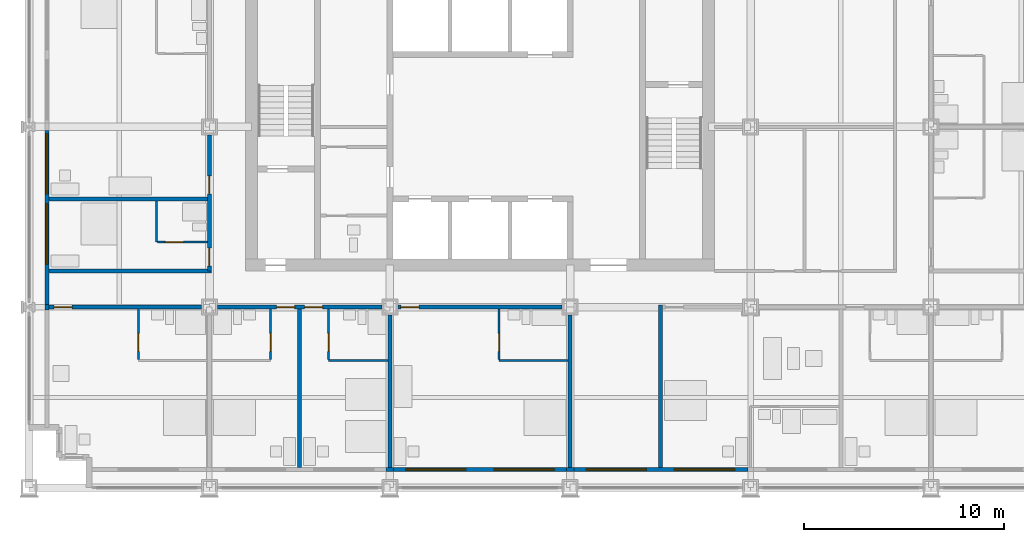
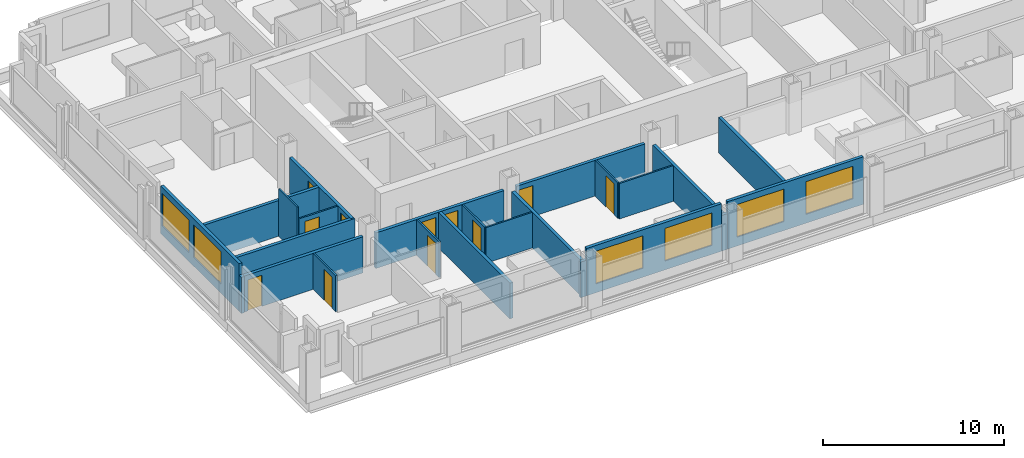
# One storey, part 10 of 18: 24 walls, 11 doors, 6 windows, 17 openings.
"""IFC4 building model written with IfcOpenShell, lengths in metres."""

import ifcopenshell
import ifcopenshell.guid

model = None  # the IFC model being written
_history = None  # IfcOwnerHistory: only IFC2X3 demands one
_inside = {}  # id of a spatial element -> (the spatial element, [elements in it])
_under = {}  # id of a project, library or spatial element -> (it, [spatial elements below it])
_declared = {}  # id of a project -> (the project, [libraries it declares])
_typed = {}  # id of a type object -> (the type object, [elements of that type])
_made_of = {}  # id of a material, layer set ... -> (it, [elements and type objects made of it])


def new_model(schema):
    """Start an empty IFC model of exactly this schema.

    Asked for "IFC4X3", IfcOpenShell would pick the latest addendum, in which some entities
    have other attributes; the version numbers below select the first issue.
    IFC2X3 requires an IfcOwnerHistory on every rooted entity: one is made here for all.
    """
    global model, _history
    if schema == "IFC4X3":
        model = ifcopenshell.file(schema_version=(4, 3, 0, 0))
    else:
        model = ifcopenshell.file(schema=schema)
    _inside.clear()
    _under.clear()
    _declared.clear()
    _typed.clear()
    _made_of.clear()
    _history = None
    if model.schema == "IFC2X3":
        org = make("IfcOrganization", Name="unknown")
        user = make(
            "IfcPersonAndOrganization",
            ThePerson=make("IfcPerson", FamilyName="unknown"),
            TheOrganization=org,
        )
        app = make(
            "IfcApplication",
            ApplicationDeveloper=org,
            Version="unknown",
            ApplicationFullName="unknown",
            ApplicationIdentifier="unknown",
        )
        _history = make(
            "IfcOwnerHistory",
            OwningUser=user,
            OwningApplication=app,
            ChangeAction="ADDED",
            CreationDate=0,
        )
    return model


def make(cls, **values):
    """One entity of the class cls with the attributes given. An attribute that is None is left unset."""
    return model.create_entity(
        cls, **{name: value for name, value in values.items() if value is not None}
    )


def rooted(cls, **values):
    """An entity with a GlobalId (a new one), such as an element, a storey or a relation."""
    return make(cls, GlobalId=ifcopenshell.guid.new(), OwnerHistory=_history, **values)


def si_unit(unit_type, name, prefix=None):
    """IfcSIUnit, for example si_unit("LENGTHUNIT", "METRE", prefix="MILLI")."""
    return make("IfcSIUnit", UnitType=unit_type, Prefix=prefix, Name=name)


def assignment(units):
    """IfcUnitAssignment: the units of a project."""
    return None if units is None else make("IfcUnitAssignment", Units=units)


def point(xyz):
    """IfcCartesianPoint."""
    return None if xyz is None else make("IfcCartesianPoint", Coordinates=xyz)


def direction(xyz):
    """IfcDirection."""
    return None if xyz is None else make("IfcDirection", DirectionRatios=xyz)


def frame(location, z_axis=None, x_axis=None):
    """IfcAxis2Placement3D, a coordinate frame: its origin and axes. An axis left out is left unset."""
    return make(
        "IfcAxis2Placement3D",
        Location=point(location),
        Axis=direction(z_axis),
        RefDirection=direction(x_axis),
    )


def frame_2d(location, x_axis=None):
    """IfcAxis2Placement2D, a coordinate frame in the plane: its origin and x axis."""
    return make(
        "IfcAxis2Placement2D", Location=point(location), RefDirection=direction(x_axis)
    )


def origin():
    """The frame at (0, 0, 0) with its axes left unset."""
    return frame((0.0, 0.0, 0.0))


def place(relative_to, where):
    """IfcLocalPlacement: puts the frame where relative to a parent placement (None: the world)."""
    return make(
        "IfcLocalPlacement", PlacementRelTo=relative_to, RelativePlacement=where
    )


def context(
    kind, dimensions, precision=None, world=None, true_north=None, identifier=None
):
    """IfcGeometricRepresentationContext, for example the 3D "Model" context."""
    return make(
        "IfcGeometricRepresentationContext",
        ContextIdentifier=identifier,
        ContextType=kind,
        CoordinateSpaceDimension=dimensions,
        Precision=precision,
        WorldCoordinateSystem=world,
        TrueNorth=true_north,
    )


def subcontext(parent, identifier, kind, view, scale=None):
    """IfcGeometricRepresentationSubContext, for example "Body" below "Model"."""
    return make(
        "IfcGeometricRepresentationSubContext",
        ContextIdentifier=identifier,
        ContextType=kind,
        ParentContext=parent,
        TargetScale=scale,
        TargetView=view,
    )


def project(units=None, contexts=None):
    """IfcProject with its units and contexts."""
    return rooted(
        "IfcProject",
        Name="project",
        RepresentationContexts=contexts,
        UnitsInContext=assignment(units),
    )


def spatial(cls, under=None, at=None, **own):
    """A site, building, storey or space (cls), placed at a placement, below another one or the project."""
    s = rooted(cls, ObjectPlacement=at, **own)
    if under is not None:
        _under.setdefault(under.id(), (under, []))[1].append(s)
    return s


def profile(cls, at=None, kind="AREA", **sizes):
    """A parametric profile (cls). Its sizes go by their IFC names, for example OverallWidth=200.0."""
    return make(cls, ProfileType=kind, Position=at, **sizes)


def rectangle(**sizes):
    """IfcRectangleProfileDef."""
    return profile("IfcRectangleProfileDef", **sizes)


def extrude(swept, where, along, depth):
    """IfcExtrudedAreaSolid: the profile swept, set in the frame where, extruded along a direction by depth."""
    return make(
        "IfcExtrudedAreaSolid",
        SweptArea=swept,
        Position=where,
        ExtrudedDirection=direction(along),
        Depth=depth,
    )


def shape(context_of_items, identifier, shape_type, items):
    """IfcShapeRepresentation: the items that make up one representation, for example the "Body"."""
    return make(
        "IfcShapeRepresentation",
        ContextOfItems=context_of_items,
        RepresentationIdentifier=identifier,
        RepresentationType=shape_type,
        Items=items,
    )


def material(Name=None, Category=None):
    """IfcMaterial."""
    return make("IfcMaterial", Name=Name, Category=Category)


def layer(
    of_material, thickness, ventilated=None, Name=None, Category=None, Priority=None
):
    """IfcMaterialLayer: one layer of a wall or slab, of a material (None: an air gap)."""
    return make(
        "IfcMaterialLayer",
        Material=of_material,
        LayerThickness=thickness,
        IsVentilated=ventilated,
        Name=Name,
        Category=Category,
        Priority=Priority,
    )


def layer_set(layers, Name=None):
    """IfcMaterialLayerSet."""
    return make("IfcMaterialLayerSet", MaterialLayers=layers, LayerSetName=Name)


def made_of(thing, what):
    """Note that an element or type object is made of a material, layer set ...; save() writes the relation."""
    if what is not None:
        _made_of.setdefault(what.id(), (what, []))[1].append(thing)
    return thing


def type_object(cls, material=None, **own):
    """A type object (cls), such as IfcWallType, which elements share."""
    return made_of(rooted(cls, **own), material)


def element(
    cls,
    number,
    at=None,
    inside=None,
    cuts=None,
    type_object=None,
    material=None,
    context=None,
    identifier="Body",
    shape_type=None,
    held_by="IfcProductDefinitionShape",
    body=None,
    shapes=None,
    **own,
):
    """One element of the class cls, such as IfcWall. Its Tag is "e" and its number.

    at: its placement. inside: the storey or other place that contains it. cuts: it is an
    opening in that element (IfcRelVoidsElement). A single representation is given by context,
    identifier, shape_type and body (its items); several are given by shapes. held_by: the class
    of the entity that holds the representations. save() writes the other relations.
    """
    e = rooted(cls, Tag="e%d" % number, ObjectPlacement=at, **own)
    if body is not None:
        shapes = [shape(context, identifier, shape_type, body)]
    if shapes is not None:
        e.Representation = make(held_by, Representations=shapes)
    if inside is not None:
        _inside.setdefault(inside.id(), (inside, []))[1].append(e)
    if cuts is not None:
        rooted(
            "IfcRelVoidsElement", RelatingBuildingElement=cuts, RelatedOpeningElement=e
        )
    if type_object is not None:
        _typed.setdefault(type_object.id(), (type_object, []))[1].append(e)
    return made_of(e, material)


def fill(opening, filler):
    """IfcRelFillsElement: the door or window that sits in an opening."""
    return rooted(
        "IfcRelFillsElement",
        RelatingOpeningElement=opening,
        RelatedBuildingElement=filler,
    )


def aggregate(whole, parts):
    """IfcRelAggregates: a whole, such as a stair, and the parts it consists of."""
    return rooted("IfcRelAggregates", RelatingObject=whole, RelatedObjects=parts)


def save(model, path):
    """Write the relations noted so far, then the file.

    IfcRelAggregates (storeys below a building ...), IfcRelContainedInSpatialStructure (elements
    in a storey), IfcRelDefinesByType, IfcRelAssociatesMaterial and IfcRelDeclares: one each for
    every whole, place, type object, material and project.
    """
    for whole, parts in _under.values():
        aggregate(whole, parts)
    for where, things in _inside.values():
        rooted(
            "IfcRelContainedInSpatialStructure",
            RelatedElements=things,
            RelatingStructure=where,
        )
    for kind, things in _typed.values():
        rooted("IfcRelDefinesByType", RelatedObjects=things, RelatingType=kind)
    for what, things in _made_of.values():
        rooted("IfcRelAssociatesMaterial", RelatedObjects=things, RelatingMaterial=what)
    for by, libraries in _declared.values():
        rooted("IfcRelDeclares", RelatingContext=by, RelatedDefinitions=libraries)
    model.write(path)


model = new_model("IFC4")

# Units and contexts
model_context = context("Model", 3, precision=1e-05, world=origin(), true_north=direction((0.0, 1.0)))
body_context = subcontext(model_context, "Body", "Model", "MODEL_VIEW")
ifc_project = project(units=[si_unit("LENGTHUNIT", "METRE"), si_unit("AREAUNIT", "SQUARE_METRE"), si_unit("VOLUMEUNIT", "CUBIC_METRE"), si_unit("PLANEANGLEUNIT", "RADIAN"), si_unit("MASSUNIT", "GRAM", prefix="KILO")], contexts=[model_context])

# Site, building, storey
site_placement = place(None, origin())
site = spatial("IfcSite", under=ifc_project, at=site_placement, CompositionType="ELEMENT")
building_placement = place(site_placement, origin())
building = spatial("IfcBuilding", under=site, at=building_placement, Name="Loomwork Tower", CompositionType="ELEMENT")
storey_placement = place(building_placement, frame((0.0, 0.0, 38.199951171875)))
storey = spatial("IfcBuildingStorey", under=building, at=storey_placement, Name="L08", CompositionType="ELEMENT", Elevation=38.199951171875)

# Wall, opening, door
ifc_material_1 = material(Name="Gypsum board on steel studs, one-hour", Category="steel")
ifc_layer_1 = layer(ifc_material_1, 0.199951171875)
ifc_layer_set_1 = layer_set([ifc_layer_1], Name="Corridor wall 200")
wall_type_1 = type_object("IfcWallType", Name="Corridor wall 200", PredefinedType="PARTITIONING", material=ifc_layer_set_1)
wall_1_placement = place(storey_placement, frame((1.0, 9.0, 0.0), z_axis=(0.0, 0.0, 1.0), x_axis=(1.0, 0.0, 0.0)))
wall_1 = element("IfcWall", 1, at=wall_1_placement, inside=storey, type_object=wall_type_1, Name="South corridor wall 1", PredefinedType="PARTITIONING", context=body_context, shape_type="SweptSolid", body=[
    extrude(rectangle(XDim=7.60009765625, YDim=0.199951171875, at=frame_2d((3.800048828125, 0.0))), origin(), (0.0, 0.0, 1.0), 2.43798828125),
])
opening_1_placement = place(wall_1_placement, frame((0.25, 0.0, 0.0)))
opening_1 = element("IfcOpeningElement", 2, at=opening_1_placement, cuts=wall_1, Name="Opening D1", PredefinedType="OPENING", context=body_context, shape_type="SweptSolid", body=[
    extrude(rectangle(XDim=0.89990234375, YDim=2.10009765625, at=frame_2d((0.449951171875, 1.050048828125))), frame((0.0, 0.10986328125, 0.0), z_axis=(0.0, -1.0, 0.0), x_axis=(1.0, 0.0, 0.0)), (0.0, 0.0, 1.0), 0.219970703125),
])
ifc_material_2 = material(Name="Hollow metal door and frame")
door_type_1 = type_object("IfcDoorType", Name="Guest room entry door 900", OperationType="SINGLE_SWING_LEFT", PredefinedType="DOOR", material=ifc_material_2)
door_1_placement = place(opening_1_placement, frame((0.89990234375, 0.0, 0.0), z_axis=(0.0, 0.0, 1.0), x_axis=(-1.0, 0.0, 0.0)))
door_1 = element("IfcDoor", 3, at=door_1_placement, inside=storey, type_object=door_type_1, Name="Guest room entry door L08 1", OperationType="SINGLE_SWING_RIGHT", OverallHeight=2.10009765625, OverallWidth=0.89990234375, PredefinedType="DOOR", context=body_context, shape_type="SweptSolid", body=[
    extrude(rectangle(XDim=0.89990234375, YDim=2.10009765625, at=frame_2d((0.449951171875, 1.050048828125))), frame((0.0, 0.02490234375, 0.0), z_axis=(0.0, -1.0, 0.0), x_axis=(1.0, 0.0, 0.0)), (0.0, 0.0, 1.0), 0.050048828125),
])
fill(opening_1, door_1)

# Wall, openings, doors
wall_2_placement = place(storey_placement, frame((9.39990234375, 9.0, 0.0), z_axis=(0.0, 0.0, 1.0), x_axis=(1.0, 0.0, 0.0)))
wall_2 = element("IfcWall", 4, at=wall_2_placement, inside=storey, type_object=wall_type_1, Name="South corridor wall 2", PredefinedType="PARTITIONING", context=body_context, shape_type="SweptSolid", body=[
    extrude(rectangle(XDim=8.2001953125, YDim=0.199951171875, at=frame_2d((4.10009765625, 0.0))), origin(), (0.0, 0.0, 1.0), 2.405029296875),
])
opening_2_placement = place(wall_2_placement, frame((2.949951171875, 0.0, 0.0)))
opening_2 = element("IfcOpeningElement", 5, at=opening_2_placement, cuts=wall_2, Name="Opening D1", PredefinedType="OPENING", context=body_context, shape_type="SweptSolid", body=[
    extrude(rectangle(XDim=0.89990234375, YDim=2.10009765625, at=frame_2d((0.449951171875, 1.050048828125))), frame((0.0, 0.10986328125, 0.0), z_axis=(0.0, -1.0, 0.0), x_axis=(1.0, 0.0, 0.0)), (0.0, 0.0, 1.0), 0.219970703125),
])
opening_3_placement = place(wall_2_placement, frame((4.35009765625, 0.0, 0.0)))
opening_3 = element("IfcOpeningElement", 6, at=opening_3_placement, cuts=wall_2, Name="Opening D1", PredefinedType="OPENING", context=body_context, shape_type="SweptSolid", body=[
    extrude(rectangle(XDim=0.89990234375, YDim=2.10009765625, at=frame_2d((0.449951171875, 1.050048828125))), frame((0.0, 0.10986328125, 0.0), z_axis=(0.0, -1.0, 0.0), x_axis=(1.0, 0.0, 0.0)), (0.0, 0.0, 1.0), 0.219970703125),
])
door_2_placement = place(opening_2_placement, frame((0.89990234375, 0.0, 0.0), z_axis=(0.0, 0.0, 1.0), x_axis=(-1.0, 0.0, 0.0)))
door_2 = element("IfcDoor", 7, at=door_2_placement, inside=storey, type_object=door_type_1, Name="Guest room entry door L08 2", OperationType="SINGLE_SWING_LEFT", OverallHeight=2.10009765625, OverallWidth=0.89990234375, PredefinedType="DOOR", context=body_context, shape_type="SweptSolid", body=[
    extrude(rectangle(XDim=0.89990234375, YDim=2.10009765625, at=frame_2d((0.449951171875, 1.050048828125))), frame((0.0, 0.02490234375, 0.0), z_axis=(0.0, -1.0, 0.0), x_axis=(1.0, 0.0, 0.0)), (0.0, 0.0, 1.0), 0.050048828125),
])
fill(opening_2, door_2)
door_3_placement = place(opening_3_placement, frame((0.89990234375, 0.0, 0.0), z_axis=(0.0, 0.0, 1.0), x_axis=(-1.0, 0.0, 0.0)))
door_3 = element("IfcDoor", 8, at=door_3_placement, inside=storey, type_object=door_type_1, Name="Guest room entry door L08 3", OperationType="SINGLE_SWING_RIGHT", OverallHeight=2.10009765625, OverallWidth=0.89990234375, PredefinedType="DOOR", context=body_context, shape_type="SweptSolid", body=[
    extrude(rectangle(XDim=0.89990234375, YDim=2.10009765625, at=frame_2d((0.449951171875, 1.050048828125))), frame((0.0, 0.02490234375, 0.0), z_axis=(0.0, -1.0, 0.0), x_axis=(1.0, 0.0, 0.0)), (0.0, 0.0, 1.0), 0.050048828125),
])
fill(opening_3, door_3)

# Wall, opening, door
wall_3_placement = place(storey_placement, frame((18.39990234375, 9.0, 0.0), z_axis=(0.0, 0.0, 1.0), x_axis=(1.0, 0.0, 0.0)))
wall_3 = element("IfcWall", 9, at=wall_3_placement, inside=storey, type_object=wall_type_1, Name="South corridor wall 3", PredefinedType="PARTITIONING", context=body_context, shape_type="SweptSolid", body=[
    extrude(rectangle(XDim=8.2001953125, YDim=0.199951171875, at=frame_2d((4.10009765625, 0.0))), origin(), (0.0, 0.0, 1.0), 2.405029296875),
])
opening_4_placement = place(wall_3_placement, frame((0.14990234375, 0.0, 0.0)))
opening_4 = element("IfcOpeningElement", 10, at=opening_4_placement, cuts=wall_3, Name="Opening D1", PredefinedType="OPENING", context=body_context, shape_type="SweptSolid", body=[
    extrude(rectangle(XDim=0.89990234375, YDim=2.10009765625, at=frame_2d((0.449951171875, 1.050048828125))), frame((0.0, 0.10986328125, 0.0), z_axis=(0.0, -1.0, 0.0), x_axis=(1.0, 0.0, 0.0)), (0.0, 0.0, 1.0), 0.219970703125),
])
door_4_placement = place(opening_4_placement, frame((0.89990234375, 0.0, 0.0), z_axis=(0.0, 0.0, 1.0), x_axis=(-1.0, 0.0, 0.0)))
door_4 = element("IfcDoor", 11, at=door_4_placement, inside=storey, type_object=door_type_1, Name="Guest room entry door L08 4", OperationType="SINGLE_SWING_RIGHT", OverallHeight=2.10009765625, OverallWidth=0.89990234375, PredefinedType="DOOR", context=body_context, shape_type="SweptSolid", body=[
    extrude(rectangle(XDim=0.89990234375, YDim=2.10009765625, at=frame_2d((0.449951171875, 1.050048828125))), frame((0.0, 0.02490234375, 0.0), z_axis=(0.0, -1.0, 0.0), x_axis=(1.0, 0.0, 0.0)), (0.0, 0.0, 1.0), 0.050048828125),
])
fill(opening_4, door_4)

# Wall, openings, doors
wall_4_placement = place(storey_placement, frame((9.0, 10.800048828125, 0.0), z_axis=(0.0, 0.0, 1.0), x_axis=(0.0, 1.0, 0.0)))
wall_4 = element("IfcWall", 12, at=wall_4_placement, inside=storey, type_object=wall_type_1, Name="West corridor wall 1", PredefinedType="PARTITIONING", context=body_context, shape_type="SweptSolid", body=[
    extrude(rectangle(XDim=6.800048828125, YDim=0.199951171875, at=frame_2d((3.39990234375, 0.0))), origin(), (0.0, 0.0, 1.0), 2.405029296875),
])
opening_5_placement = place(wall_4_placement, frame((0.25, 0.0, 0.0)))
opening_5 = element("IfcOpeningElement", 13, at=opening_5_placement, cuts=wall_4, Name="Opening D1", PredefinedType="OPENING", context=body_context, shape_type="SweptSolid", body=[
    extrude(rectangle(XDim=0.89990234375, YDim=2.10009765625, at=frame_2d((0.449951171875, 1.050048828125))), frame((0.0, 0.10986328125, 0.0), z_axis=(0.0, -1.0, 0.0), x_axis=(1.0, 0.0, 0.0)), (0.0, 0.0, 1.0), 0.219970703125),
])
opening_6_placement = place(wall_4_placement, frame((3.85009765625, 0.0, 0.0)))
opening_6 = element("IfcOpeningElement", 14, at=opening_6_placement, cuts=wall_4, Name="Opening D1", PredefinedType="OPENING", context=body_context, shape_type="SweptSolid", body=[
    extrude(rectangle(XDim=0.89990234375, YDim=2.10009765625, at=frame_2d((0.449951171875, 1.050048828125))), frame((0.0, 0.10986328125, 0.0), z_axis=(0.0, -1.0, 0.0), x_axis=(1.0, 0.0, 0.0)), (0.0, 0.0, 1.0), 0.219970703125),
])
door_5_placement = place(opening_5_placement, origin())
door_5 = element("IfcDoor", 15, at=door_5_placement, inside=storey, type_object=door_type_1, Name="Guest room entry door L08 16", OperationType="SINGLE_SWING_LEFT", OverallHeight=2.10009765625, OverallWidth=0.89990234375, PredefinedType="DOOR", context=body_context, shape_type="SweptSolid", body=[
    extrude(rectangle(XDim=0.89990234375, YDim=2.10009765625, at=frame_2d((0.449951171875, 1.050048828125))), frame((0.0, 0.02490234375, 0.0), z_axis=(0.0, -1.0, 0.0), x_axis=(1.0, 0.0, 0.0)), (0.0, 0.0, 1.0), 0.050048828125),
])
fill(opening_5, door_5)
door_6_placement = place(opening_6_placement, origin())
door_6 = element("IfcDoor", 16, at=door_6_placement, inside=storey, type_object=door_type_1, Name="Guest room entry door L08 17", OperationType="SINGLE_SWING_LEFT", OverallHeight=2.10009765625, OverallWidth=0.89990234375, PredefinedType="DOOR", context=body_context, shape_type="SweptSolid", body=[
    extrude(rectangle(XDim=0.89990234375, YDim=2.10009765625, at=frame_2d((0.449951171875, 1.050048828125))), frame((0.0, 0.02490234375, 0.0), z_axis=(0.0, -1.0, 0.0), x_axis=(1.0, 0.0, 0.0)), (0.0, 0.0, 1.0), 0.050048828125),
])
fill(opening_6, door_6)

# Wall
wall_5_placement = place(storey_placement, frame((1.0, 10.800048828125, 0.0), z_axis=(0.0, 0.0, 1.0), x_axis=(1.0, 0.0, 0.0)))
element("IfcWall", 17, at=wall_5_placement, inside=storey, type_object=wall_type_1, Name="West band end wall S", PredefinedType="PARTITIONING", context=body_context, shape_type="SweptSolid", body=[
    extrude(rectangle(XDim=8.10009765625, YDim=0.199951171875, at=frame_2d((4.050048828125, 0.0))), origin(), (0.0, 0.0, 1.0), 2.404052734375),
])

# Wall, opening, door
ifc_material_3 = material(Name="Cement board on steel studs", Category="steel")
ifc_layer_2 = layer(ifc_material_3, 0.10009765625)
ifc_layer_set_2 = layer_set([ifc_layer_2], Name="En-suite partition 100")
wall_type_2 = type_object("IfcWallType", Name="En-suite partition 100", PredefinedType="PARTITIONING", material=ifc_layer_set_2)
wall_6_placement = place(storey_placement, frame((5.449951171875, 8.89990234375, 0.0), z_axis=(0.0, 0.0, 1.0), x_axis=(0.0, -1.0, 0.0)))
wall_6 = element("IfcWall", 18, at=wall_6_placement, inside=storey, type_object=wall_type_2, Name="En-suite side wall L08 room 1", PredefinedType="PARTITIONING", context=body_context, shape_type="SweptSolid", body=[
    extrude(rectangle(XDim=2.5, YDim=0.10009765625, at=frame_2d((1.25, 0.0))), origin(), (0.0, 0.0, 1.0), 2.43798828125),
])
opening_7_placement = place(wall_6_placement, frame((1.199951171875, 0.0, 0.0)))
opening_7 = element("IfcOpeningElement", 19, at=opening_7_placement, cuts=wall_6, Name="Opening D3", PredefinedType="OPENING", context=body_context, shape_type="SweptSolid", body=[
    extrude(rectangle(XDim=0.89990234375, YDim=2.10009765625, at=frame_2d((0.449951171875, 1.050048828125))), frame((0.0, 0.06005859375, 0.0), z_axis=(0.0, -1.0, 0.0), x_axis=(1.0, 0.0, 0.0)), (0.0, 0.0, 1.0), 0.1201171875),
])
ifc_material_4 = material(Name="Hollow metal door and frame")
door_type_2 = type_object("IfcDoorType", Name="Accessible en-suite door 900", OperationType="SLIDING_TO_LEFT", PredefinedType="DOOR", material=ifc_material_4)
door_7_placement = place(opening_7_placement, origin())
door_7 = element("IfcDoor", 20, at=door_7_placement, inside=storey, type_object=door_type_2, Name="Accessible en-suite door room 1", OperationType="SLIDING_TO_LEFT", OverallHeight=2.10009765625, OverallWidth=0.89990234375, PredefinedType="DOOR", context=body_context, shape_type="SweptSolid", body=[
    extrude(rectangle(XDim=0.89990234375, YDim=2.10009765625, at=frame_2d((0.449951171875, 1.050048828125))), frame((0.0, 0.02490234375, 0.0), z_axis=(0.0, -1.0, 0.0), x_axis=(1.0, 0.0, 0.0)), (0.0, 0.0, 1.0), 0.050048828125),
])
fill(opening_7, door_7)

wall_7_placement = place(storey_placement, frame((12.050048828125, 8.89990234375, 0.0), z_axis=(0.0, 0.0, 1.0), x_axis=(0.0, -1.0, 0.0)))
wall_7 = element("IfcWall", 21, at=wall_7_placement, inside=storey, type_object=wall_type_2, Name="En-suite side wall L08 room 2", PredefinedType="PARTITIONING", context=body_context, shape_type="SweptSolid", body=[
    extrude(rectangle(XDim=2.5, YDim=0.10009765625, at=frame_2d((1.25, 0.0))), origin(), (0.0, 0.0, 1.0), 2.404052734375),
])
opening_8_placement = place(wall_7_placement, frame((1.199951171875, 0.0, 0.0)))
opening_8 = element("IfcOpeningElement", 22, at=opening_8_placement, cuts=wall_7, Name="Opening D2", PredefinedType="OPENING", context=body_context, shape_type="SweptSolid", body=[
    extrude(rectangle(XDim=0.89990234375, YDim=2.10009765625, at=frame_2d((0.449951171875, 1.050048828125))), frame((0.0, 0.06005859375, 0.0), z_axis=(0.0, -1.0, 0.0), x_axis=(1.0, 0.0, 0.0)), (0.0, 0.0, 1.0), 0.1201171875),
])
ifc_material_5 = material(Name="Hollow metal door and frame")
door_type_3 = type_object("IfcDoorType", Name="En-suite door 900", OperationType="SINGLE_SWING_LEFT", PredefinedType="DOOR", material=ifc_material_5)
door_8_placement = place(opening_8_placement, frame((0.89990234375, 0.0, 0.0), z_axis=(0.0, 0.0, 1.0), x_axis=(-1.0, 0.0, 0.0)))
door_8 = element("IfcDoor", 23, at=door_8_placement, inside=storey, type_object=door_type_3, Name="En-suite door room 2", OperationType="SINGLE_SWING_LEFT", OverallHeight=2.10009765625, OverallWidth=0.89990234375, PredefinedType="DOOR", context=body_context, shape_type="SweptSolid", body=[
    extrude(rectangle(XDim=0.89990234375, YDim=2.10009765625, at=frame_2d((0.449951171875, 1.050048828125))), frame((0.0, 0.02490234375, 0.0), z_axis=(0.0, -1.0, 0.0), x_axis=(1.0, 0.0, 0.0)), (0.0, 0.0, 1.0), 0.050048828125),
])
fill(opening_8, door_8)

# Wall
wall_8_placement = place(storey_placement, frame((14.949951171875, 6.35009765625, 0.0), z_axis=(0.0, 0.0, 1.0), x_axis=(1.0, 0.0, 0.0)))
element("IfcWall", 24, at=wall_8_placement, inside=storey, type_object=wall_type_2, Name="En-suite wall L08 room 3", PredefinedType="PARTITIONING", context=body_context, shape_type="SweptSolid", body=[
    extrude(rectangle(XDim=2.949951171875, YDim=0.10009765625, at=frame_2d((1.47509765625, 0.0))), origin(), (0.0, 0.0, 1.0), 2.404052734375),
])

# Wall, opening, door
wall_9_placement = place(storey_placement, frame((14.949951171875, 8.89990234375, 0.0), z_axis=(0.0, 0.0, 1.0), x_axis=(0.0, -1.0, 0.0)))
wall_9 = element("IfcWall", 25, at=wall_9_placement, inside=storey, type_object=wall_type_2, Name="En-suite side wall L08 room 3", PredefinedType="PARTITIONING", context=body_context, shape_type="SweptSolid", body=[
    extrude(rectangle(XDim=2.5, YDim=0.10009765625, at=frame_2d((1.25, 0.0))), origin(), (0.0, 0.0, 1.0), 2.404052734375),
])
opening_9_placement = place(wall_9_placement, frame((1.199951171875, 0.0, 0.0)))
opening_9 = element("IfcOpeningElement", 26, at=opening_9_placement, cuts=wall_9, Name="Opening D2", PredefinedType="OPENING", context=body_context, shape_type="SweptSolid", body=[
    extrude(rectangle(XDim=0.89990234375, YDim=2.10009765625, at=frame_2d((0.449951171875, 1.050048828125))), frame((0.0, 0.06005859375, 0.0), z_axis=(0.0, -1.0, 0.0), x_axis=(1.0, 0.0, 0.0)), (0.0, 0.0, 1.0), 0.1201171875),
])
door_9_placement = place(opening_9_placement, origin())
door_9 = element("IfcDoor", 27, at=door_9_placement, inside=storey, type_object=door_type_3, Name="En-suite door room 3", OperationType="SINGLE_SWING_RIGHT", OverallHeight=2.10009765625, OverallWidth=0.89990234375, PredefinedType="DOOR", context=body_context, shape_type="SweptSolid", body=[
    extrude(rectangle(XDim=0.89990234375, YDim=2.10009765625, at=frame_2d((0.449951171875, 1.050048828125))), frame((0.0, 0.02490234375, 0.0), z_axis=(0.0, -1.0, 0.0), x_axis=(1.0, 0.0, 0.0)), (0.0, 0.0, 1.0), 0.050048828125),
])
fill(opening_9, door_9)

# Wall
wall_10_placement = place(storey_placement, frame((23.449951171875, 6.35009765625, 0.0), z_axis=(0.0, 0.0, 1.0), x_axis=(1.0, 0.0, 0.0)))
element("IfcWall", 28, at=wall_10_placement, inside=storey, type_object=wall_type_2, Name="En-suite wall L08 room 4", PredefinedType="PARTITIONING", context=body_context, shape_type="SweptSolid", body=[
    extrude(rectangle(XDim=3.449951171875, YDim=0.10009765625, at=frame_2d((1.72509765625, 0.0))), origin(), (0.0, 0.0, 1.0), 2.404052734375),
])

# Wall, opening, door
wall_11_placement = place(storey_placement, frame((23.449951171875, 8.89990234375, 0.0), z_axis=(0.0, 0.0, 1.0), x_axis=(0.0, -1.0, 0.0)))
wall_11 = element("IfcWall", 29, at=wall_11_placement, inside=storey, type_object=wall_type_2, Name="En-suite side wall L08 room 4", PredefinedType="PARTITIONING", context=body_context, shape_type="SweptSolid", body=[
    extrude(rectangle(XDim=2.5, YDim=0.10009765625, at=frame_2d((1.25, 0.0))), origin(), (0.0, 0.0, 1.0), 2.404052734375),
])
opening_10_placement = place(wall_11_placement, frame((1.199951171875, 0.0, 0.0)))
opening_10 = element("IfcOpeningElement", 30, at=opening_10_placement, cuts=wall_11, Name="Opening D2", PredefinedType="OPENING", context=body_context, shape_type="SweptSolid", body=[
    extrude(rectangle(XDim=0.89990234375, YDim=2.10009765625, at=frame_2d((0.449951171875, 1.050048828125))), frame((0.0, 0.06005859375, 0.0), z_axis=(0.0, -1.0, 0.0), x_axis=(1.0, 0.0, 0.0)), (0.0, 0.0, 1.0), 0.1201171875),
])
door_10_placement = place(opening_10_placement, origin())
door_10 = element("IfcDoor", 31, at=door_10_placement, inside=storey, type_object=door_type_3, Name="En-suite door room 4", OperationType="SINGLE_SWING_RIGHT", OverallHeight=2.10009765625, OverallWidth=0.89990234375, PredefinedType="DOOR", context=body_context, shape_type="SweptSolid", body=[
    extrude(rectangle(XDim=0.89990234375, YDim=2.10009765625, at=frame_2d((0.449951171875, 1.050048828125))), frame((0.0, 0.02490234375, 0.0), z_axis=(0.0, -1.0, 0.0), x_axis=(1.0, 0.0, 0.0)), (0.0, 0.0, 1.0), 0.050048828125),
])
fill(opening_10, door_10)

# Wall
wall_12_placement = place(storey_placement, frame((6.35009765625, 12.25, 0.0), z_axis=(0.0, 0.0, 1.0), x_axis=(0.0, 1.0, 0.0)))
element("IfcWall", 32, at=wall_12_placement, inside=storey, type_object=wall_type_2, Name="En-suite wall L08 room 16", PredefinedType="PARTITIONING", context=body_context, shape_type="SweptSolid", body=[
    extrude(rectangle(XDim=2.050048828125, YDim=0.10009765625, at=frame_2d((1.02490234375, 0.0))), origin(), (0.0, 0.0, 1.0), 3.199951171875),
])

# Wall, opening, door
wall_13_placement = place(storey_placement, frame((8.89990234375, 12.25, 0.0), z_axis=(0.0, 0.0, 1.0), x_axis=(-1.0, 0.0, 0.0)))
wall_13 = element("IfcWall", 33, at=wall_13_placement, inside=storey, type_object=wall_type_2, Name="En-suite side wall L08 room 16", PredefinedType="PARTITIONING", context=body_context, shape_type="SweptSolid", body=[
    extrude(rectangle(XDim=2.5, YDim=0.10009765625, at=frame_2d((1.25, 0.0))), origin(), (0.0, 0.0, 1.0), 2.404052734375),
])
opening_11_placement = place(wall_13_placement, frame((1.199951171875, 0.0, 0.0)))
opening_11 = element("IfcOpeningElement", 34, at=opening_11_placement, cuts=wall_13, Name="Opening D2", PredefinedType="OPENING", context=body_context, shape_type="SweptSolid", body=[
    extrude(rectangle(XDim=0.89990234375, YDim=2.10009765625, at=frame_2d((0.449951171875, 1.050048828125))), frame((0.0, 0.06005859375, 0.0), z_axis=(0.0, -1.0, 0.0), x_axis=(1.0, 0.0, 0.0)), (0.0, 0.0, 1.0), 0.1201171875),
])
door_11_placement = place(opening_11_placement, frame((0.89990234375, 0.0, 0.0), z_axis=(0.0, 0.0, 1.0), x_axis=(-1.0, 0.0, 0.0)))
door_11 = element("IfcDoor", 35, at=door_11_placement, inside=storey, type_object=door_type_3, Name="En-suite door room 16", OperationType="SINGLE_SWING_LEFT", OverallHeight=2.10009765625, OverallWidth=0.89990234375, PredefinedType="DOOR", context=body_context, shape_type="SweptSolid", body=[
    extrude(rectangle(XDim=0.89990234375, YDim=2.10009765625, at=frame_2d((0.449951171875, 1.050048828125))), frame((0.0, 0.02490234375, 0.0), z_axis=(0.0, -1.0, 0.0), x_axis=(1.0, 0.0, 0.0)), (0.0, 0.0, 1.0), 0.050048828125),
])
fill(opening_11, door_11)

# Walls
ifc_material_6 = material(Name="Gypsum board on steel studs, acoustic", Category="steel")
ifc_layer_3 = layer(ifc_material_6, 0.199951171875)
ifc_layer_set_3 = layer_set([ifc_layer_3], Name="Guest room party wall 200")
wall_type_3 = type_object("IfcWallType", Name="Guest room party wall 200", PredefinedType="PARTITIONING", material=ifc_layer_set_3)
wall_14_placement = place(storey_placement, frame((13.5, 8.89990234375, 0.0), z_axis=(0.0, 0.0, 1.0), x_axis=(0.0, -1.0, 0.0)))
element("IfcWall", 36, at=wall_14_placement, inside=storey, type_object=wall_type_3, Name="Guest room party wall S 13.5", PredefinedType="PARTITIONING", context=body_context, shape_type="SweptSolid", body=[
    extrude(rectangle(XDim=7.89990234375, YDim=0.199951171875, at=frame_2d((3.949951171875, 0.0))), origin(), (0.0, 0.0, 1.0), 2.404052734375),
])
for number, where, z_axis, x_axis, name in (
    (37, (18.0, 8.60009765625, 0.0), (0.0, 0.0, 1.0), (0.0, -1.0, 0.0), "Guest room party wall S 18"),
    (38, (27.0, 8.60009765625, 0.0), (0.0, 0.0, 1.0), (0.0, -1.0, 0.0), "Guest room party wall S 27"),
):
    element("IfcWall", number, at=place(storey_placement, frame(where, z_axis=z_axis, x_axis=x_axis)), inside=storey, type_object=wall_type_3, Name=name, PredefinedType="PARTITIONING", context=body_context, shape_type="SweptSolid", body=[
        extrude(rectangle(XDim=7.60009765625, YDim=0.199951171875, at=frame_2d((3.800048828125, 0.0))), origin(), (0.0, 0.0, 1.0), 2.405029296875),
    ])
wall_15_placement = place(storey_placement, frame((31.5, 9.10009765625, 0.0), z_axis=(0.0, 0.0, 1.0), x_axis=(0.0, -1.0, 0.0)))
element("IfcWall", 39, at=wall_15_placement, inside=storey, type_object=wall_type_3, Name="Guest room party wall S 31.5", PredefinedType="PARTITIONING", context=body_context, shape_type="SweptSolid", body=[
    extrude(rectangle(XDim=8.10009765625, YDim=0.199951171875, at=frame_2d((4.050048828125, 0.0))), origin(), (0.0, 0.0, 1.0), 2.404052734375),
])
wall_16_placement = place(storey_placement, frame((8.89990234375, 14.39990234375, 0.0), z_axis=(0.0, 0.0, 1.0), x_axis=(-1.0, 0.0, 0.0)))
element("IfcWall", 40, at=wall_16_placement, inside=storey, type_object=wall_type_3, Name="Guest room party wall W 14.4", PredefinedType="PARTITIONING", context=body_context, shape_type="SweptSolid", body=[
    extrude(rectangle(XDim=7.89990234375, YDim=0.199951171875, at=frame_2d((3.949951171875, 0.0))), origin(), (0.0, 0.0, 1.0), 2.404052734375),
])
ifc_material_7 = material(Name="Insulated steel stud wall with gypsum lining", Category="steel")
ifc_layer_4 = layer(ifc_material_7, 0.199951171875)
ifc_layer_set_4 = layer_set([ifc_layer_4], Name="Inner skin wall 200")
wall_type_4 = type_object("IfcWallType", Name="Inner skin wall 200", PredefinedType="SOLIDWALL", material=ifc_layer_set_4)
wall_17_placement = place(storey_placement, frame((17.80615234375, 0.89990234375, 0.0), z_axis=(0.0, 0.0, 1.0), x_axis=(1.0, 0.0, 0.0)))
element("IfcWall", 41, at=wall_17_placement, inside=storey, type_object=wall_type_4, Name="Inner skin wall S bay 4", PredefinedType="SOLIDWALL", context=body_context, shape_type="SweptSolid", body=[
    extrude(rectangle(XDim=0.3876953125, YDim=0.199951171875, at=frame_2d((0.19384765625, 0.0))), origin(), (0.0, 0.0, 1.0), 2.404052734375),
])

# Wall, openings, windows
wall_18_placement = place(storey_placement, frame((18.19384765625, 0.89990234375, 0.0), z_axis=(0.0, 0.0, 1.0), x_axis=(1.0, 0.0, 0.0)))
wall_18 = element("IfcWall", 42, at=wall_18_placement, inside=storey, type_object=wall_type_4, Name="Inner skin wall S bay 5", PredefinedType="SOLIDWALL", context=body_context, shape_type="SweptSolid", body=[
    extrude(rectangle(XDim=8.6123046875, YDim=0.199951171875, at=frame_2d((4.30615234375, 0.0))), origin(), (0.0, 0.0, 1.0), 3.199951171875),
])
opening_12_placement = place(wall_18_placement, frame((0.606201171875, 0.0, 0.60009765625)))
opening_12 = element("IfcOpeningElement", 43, at=opening_12_placement, cuts=wall_18, Name="Opening CH1", PredefinedType="OPENING", context=body_context, shape_type="SweptSolid", body=[
    extrude(rectangle(XDim=3.0, YDim=2.199951171875, at=frame_2d((1.5, 1.10009765625))), frame((0.0, 0.10986328125, 0.0), z_axis=(0.0, -1.0, 0.0), x_axis=(1.0, 0.0, 0.0)), (0.0, 0.0, 1.0), 0.219970703125),
])
opening_13_placement = place(wall_18_placement, frame((5.006103515625, 0.0, 0.60009765625)))
opening_13 = element("IfcOpeningElement", 44, at=opening_13_placement, cuts=wall_18, Name="Opening CH1", PredefinedType="OPENING", context=body_context, shape_type="SweptSolid", body=[
    extrude(rectangle(XDim=3.0, YDim=2.199951171875, at=frame_2d((1.5, 1.10009765625))), frame((0.0, 0.10986328125, 0.0), z_axis=(0.0, -1.0, 0.0), x_axis=(1.0, 0.0, 0.0)), (0.0, 0.0, 1.0), 0.219970703125),
])
ifc_material_8 = material(Name="Aluminium frame with clear insulated glass", Category="aluminium")
window_type = type_object("IfcWindowType", Name="Chicago window 3000", PartitioningType="TRIPLE_PANEL_VERTICAL", PredefinedType="WINDOW", material=ifc_material_8)
window_1_placement = place(opening_12_placement, origin())
window_1 = element("IfcWindow", 45, at=window_1_placement, inside=storey, type_object=window_type, Name="Chicago window L08 bay 3", OverallHeight=2.199951171875, OverallWidth=3.0, PartitioningType="TRIPLE_PANEL_VERTICAL", PredefinedType="WINDOW", context=body_context, shape_type="SweptSolid", body=[
    extrude(rectangle(XDim=3.0, YDim=2.199951171875, at=frame_2d((1.5, 1.10009765625))), frame((0.0, 0.030029296875, 0.0), z_axis=(0.0, -1.0, 0.0), x_axis=(1.0, 0.0, 0.0)), (0.0, 0.0, 1.0), 0.06005859375),
])
fill(opening_12, window_1)
window_2_placement = place(opening_13_placement, origin())
window_2 = element("IfcWindow", 46, at=window_2_placement, inside=storey, type_object=window_type, Name="Chicago window L08 bay 3", OverallHeight=2.199951171875, OverallWidth=3.0, PartitioningType="TRIPLE_PANEL_VERTICAL", PredefinedType="WINDOW", context=body_context, shape_type="SweptSolid", body=[
    extrude(rectangle(XDim=3.0, YDim=2.199951171875, at=frame_2d((1.5, 1.10009765625))), frame((0.0, 0.030029296875, 0.0), z_axis=(0.0, -1.0, 0.0), x_axis=(1.0, 0.0, 0.0)), (0.0, 0.0, 1.0), 0.06005859375),
])
fill(opening_13, window_2)

# Wall
wall_19_placement = place(storey_placement, frame((26.80615234375, 0.89990234375, 0.0), z_axis=(0.0, 0.0, 1.0), x_axis=(1.0, 0.0, 0.0)))
element("IfcWall", 47, at=wall_19_placement, inside=storey, type_object=wall_type_4, Name="Inner skin wall S bay 6", PredefinedType="SOLIDWALL", context=body_context, shape_type="SweptSolid", body=[
    extrude(rectangle(XDim=0.3876953125, YDim=0.199951171875, at=frame_2d((0.19384765625, 0.0))), origin(), (0.0, 0.0, 1.0), 2.404052734375),
])

# Wall, openings, windows
wall_20_placement = place(storey_placement, frame((27.19384765625, 0.89990234375, 0.0), z_axis=(0.0, 0.0, 1.0), x_axis=(1.0, 0.0, 0.0)))
wall_20 = element("IfcWall", 48, at=wall_20_placement, inside=storey, type_object=wall_type_4, Name="Inner skin wall S bay 7", PredefinedType="SOLIDWALL", context=body_context, shape_type="SweptSolid", body=[
    extrude(rectangle(XDim=8.670654296875, YDim=0.199951171875, at=frame_2d((4.33544921875, 0.0))), origin(), (0.0, 0.0, 1.0), 3.199951171875),
])
opening_14_placement = place(wall_20_placement, frame((0.606201171875, 0.0, 0.60009765625)))
opening_14 = element("IfcOpeningElement", 49, at=opening_14_placement, cuts=wall_20, Name="Opening CH1", PredefinedType="OPENING", context=body_context, shape_type="SweptSolid", body=[
    extrude(rectangle(XDim=3.0, YDim=2.199951171875, at=frame_2d((1.5, 1.10009765625))), frame((0.0, 0.10986328125, 0.0), z_axis=(0.0, -1.0, 0.0), x_axis=(1.0, 0.0, 0.0)), (0.0, 0.0, 1.0), 0.219970703125),
])
opening_15_placement = place(wall_20_placement, frame((5.006103515625, 0.0, 0.60009765625)))
opening_15 = element("IfcOpeningElement", 50, at=opening_15_placement, cuts=wall_20, Name="Opening CH1", PredefinedType="OPENING", context=body_context, shape_type="SweptSolid", body=[
    extrude(rectangle(XDim=3.0, YDim=2.199951171875, at=frame_2d((1.5, 1.10009765625))), frame((0.0, 0.10986328125, 0.0), z_axis=(0.0, -1.0, 0.0), x_axis=(1.0, 0.0, 0.0)), (0.0, 0.0, 1.0), 0.219970703125),
])
window_3_placement = place(opening_14_placement, origin())
window_3 = element("IfcWindow", 51, at=window_3_placement, inside=storey, type_object=window_type, Name="Chicago window L08 bay 4", OverallHeight=2.199951171875, OverallWidth=3.0, PartitioningType="TRIPLE_PANEL_VERTICAL", PredefinedType="WINDOW", context=body_context, shape_type="SweptSolid", body=[
    extrude(rectangle(XDim=3.0, YDim=2.199951171875, at=frame_2d((1.5, 1.10009765625))), frame((0.0, 0.030029296875, 0.0), z_axis=(0.0, -1.0, 0.0), x_axis=(1.0, 0.0, 0.0)), (0.0, 0.0, 1.0), 0.06005859375),
])
fill(opening_14, window_3)
window_4_placement = place(opening_15_placement, origin())
window_4 = element("IfcWindow", 52, at=window_4_placement, inside=storey, type_object=window_type, Name="Chicago window L08 bay 4", OverallHeight=2.199951171875, OverallWidth=3.0, PartitioningType="TRIPLE_PANEL_VERTICAL", PredefinedType="WINDOW", context=body_context, shape_type="SweptSolid", body=[
    extrude(rectangle(XDim=3.0, YDim=2.199951171875, at=frame_2d((1.5, 1.10009765625))), frame((0.0, 0.030029296875, 0.0), z_axis=(0.0, -1.0, 0.0), x_axis=(1.0, 0.0, 0.0)), (0.0, 0.0, 1.0), 0.06005859375),
])
fill(opening_15, window_4)

# Wall
wall_21_placement = place(storey_placement, frame((0.89990234375, 8.86474609375, 0.0), z_axis=(0.0, 0.0, 1.0), x_axis=(0.0, 1.0, 0.0)))
element("IfcWall", 53, at=wall_21_placement, inside=storey, type_object=wall_type_4, Name="Inner skin wall W bay 4", PredefinedType="SOLIDWALL", context=body_context, shape_type="SweptSolid", body=[
    extrude(rectangle(XDim=0.2705078125, YDim=0.199951171875, at=frame_2d((0.13525390625, 0.0))), origin(), (0.0, 0.0, 1.0), 2.43798828125),
])

# Wall, openings, windows
wall_22_placement = place(storey_placement, frame((0.89990234375, 9.13525390625, 0.0), z_axis=(0.0, 0.0, 1.0), x_axis=(0.0, 1.0, 0.0)))
wall_22 = element("IfcWall", 54, at=wall_22_placement, inside=storey, type_object=wall_type_4, Name="Inner skin wall W bay 5", PredefinedType="SOLIDWALL", context=body_context, shape_type="SweptSolid", body=[
    extrude(rectangle(XDim=8.6708984375, YDim=0.199951171875, at=frame_2d((4.33544921875, 0.0))), origin(), (0.0, 0.0, 1.0), 3.199951171875),
])
opening_16_placement = place(wall_22_placement, frame((2.0146484375, 0.0, 0.60009765625)))
opening_16 = element("IfcOpeningElement", 55, at=opening_16_placement, cuts=wall_22, Name="Opening CH1", PredefinedType="OPENING", context=body_context, shape_type="SweptSolid", body=[
    extrude(rectangle(XDim=3.0, YDim=2.199951171875, at=frame_2d((1.5, 1.10009765625))), frame((0.0, 0.10986328125, 0.0), z_axis=(0.0, -1.0, 0.0), x_axis=(1.0, 0.0, 0.0)), (0.0, 0.0, 1.0), 0.219970703125),
])
opening_17_placement = place(wall_22_placement, frame((5.5146484375, 0.0, 0.60009765625)))
opening_17 = element("IfcOpeningElement", 56, at=opening_17_placement, cuts=wall_22, Name="Opening CH1", PredefinedType="OPENING", context=body_context, shape_type="SweptSolid", body=[
    extrude(rectangle(XDim=3.0, YDim=2.199951171875, at=frame_2d((1.5, 1.10009765625))), frame((0.0, 0.10986328125, 0.0), z_axis=(0.0, -1.0, 0.0), x_axis=(1.0, 0.0, 0.0)), (0.0, 0.0, 1.0), 0.219970703125),
])
window_5_placement = place(opening_16_placement, origin())
window_5 = element("IfcWindow", 57, at=window_5_placement, inside=storey, type_object=window_type, Name="Chicago window L08 bay 13", OverallHeight=2.199951171875, OverallWidth=3.0, PartitioningType="TRIPLE_PANEL_VERTICAL", PredefinedType="WINDOW", context=body_context, shape_type="SweptSolid", body=[
    extrude(rectangle(XDim=3.0, YDim=2.199951171875, at=frame_2d((1.5, 1.10009765625))), frame((0.0, 0.030029296875, 0.0), z_axis=(0.0, -1.0, 0.0), x_axis=(1.0, 0.0, 0.0)), (0.0, 0.0, 1.0), 0.06005859375),
])
fill(opening_16, window_5)
window_6_placement = place(opening_17_placement, origin())
window_6 = element("IfcWindow", 58, at=window_6_placement, inside=storey, type_object=window_type, Name="Chicago window L08 bay 13", OverallHeight=2.199951171875, OverallWidth=3.0, PartitioningType="TRIPLE_PANEL_VERTICAL", PredefinedType="WINDOW", context=body_context, shape_type="SweptSolid", body=[
    extrude(rectangle(XDim=3.0, YDim=2.199951171875, at=frame_2d((1.5, 1.10009765625))), frame((0.0, 0.030029296875, 0.0), z_axis=(0.0, -1.0, 0.0), x_axis=(1.0, 0.0, 0.0)), (0.0, 0.0, 1.0), 0.06005859375),
])
fill(opening_17, window_6)

save(model, "model.ifc")
